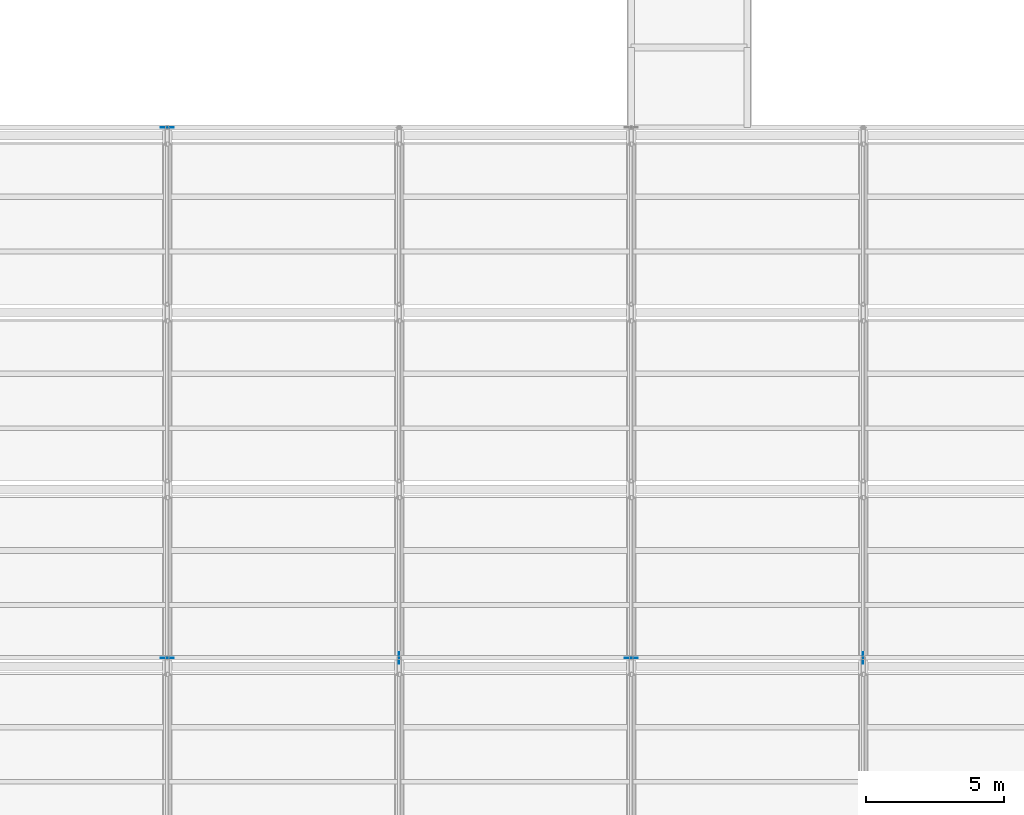
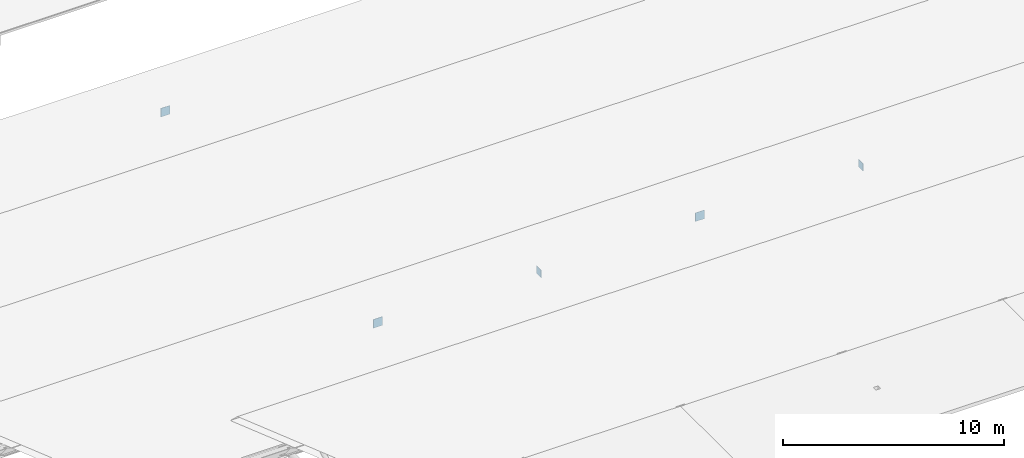
# One storey, part 161 of 194: 5 plates.
"""IFC4 building model written with IfcOpenShell, lengths in metres."""

from ifc_helpers import new_model, si_unit, direction, frame, origin, origin_2d, place, context, subcontext, project, spatial, rectangle, extrude, material, layer, layer_set, type_object, element, save


model = new_model("IFC4")

# Units and contexts
model_context = context("Model", 3, precision=1e-05, world=origin(), true_north=direction((0.0, 1.0)))
body_context = subcontext(model_context, "Body", "Model", "MODEL_VIEW")
ifc_project = project(units=[si_unit("LENGTHUNIT", "METRE"), si_unit("AREAUNIT", "SQUARE_METRE"), si_unit("VOLUMEUNIT", "CUBIC_METRE"), si_unit("PLANEANGLEUNIT", "RADIAN"), si_unit("MASSUNIT", "GRAM", prefix="KILO")], contexts=[model_context])

# Site, building, storey
site_placement = place(None, origin())
site = spatial("IfcSite", under=ifc_project, at=site_placement, CompositionType="ELEMENT")
building_placement = place(site_placement, origin())
building = spatial("IfcBuilding", under=site, at=building_placement, Name="Kazenagashi Tramway Depot", CompositionType="ELEMENT")
storey_placement = place(building_placement, frame((0.0, 0.0, 23.7)))
storey = spatial("IfcBuildingStorey", under=building, at=storey_placement, Name="ROOF", CompositionType="ELEMENT", Elevation=23.7)

# Plates
ifc_material = material(Name="Steel SN490B", Category="steel")
ifc_layer_1 = layer(ifc_material, 0.019)
ifc_layer_set_1 = layer_set([ifc_layer_1], Name="Steel SN490B")
plate_type_1 = type_object("IfcPlateType", Name="GP-02", PredefinedType="USERDEFINED", material=ifc_layer_set_1)
for number, where, z_axis, x_axis, name in (
    (1, (70.0, 35.7, -8.84), (0.0, 0.0, 1.0), (1.0, 0.0, 0.0), "Structural Node Plate GP-02 PLT-0118"),
    (2, (70.0, 54.9, -8.84), (0.0, 0.0, 1.0), (1.0, 0.0, 0.0), "Structural Node Plate GP-02 PLT-0119"),
    (3, (86.8, 35.7, -8.84), (0.0, 0.0, 1.0), (1.0, 0.0, 0.0), "Structural Node Plate GP-02 PLT-0122"),
):
    element("IfcPlate", number, at=place(storey_placement, frame(where, z_axis=z_axis, x_axis=x_axis)), inside=storey, type_object=plate_type_1, Name=name, ObjectType="GUSSET PLATE", PredefinedType="USERDEFINED", context=body_context, shape_type="SweptSolid", body=[
        extrude(rectangle(XDim=0.48, YDim=0.019, at=origin_2d()), origin(), (0.0, 0.0, 1.0), 0.48),
    ])
ifc_layer_2 = layer(ifc_material, 0.016)
ifc_layer_set_2 = layer_set([ifc_layer_2], Name="Steel SN490B")
plate_type_2 = type_object("IfcPlateType", Name="GP-03", PredefinedType="USERDEFINED", material=ifc_layer_set_2)
for number, where, z_axis, x_axis, name in (
    (4, (78.4, 35.7, -8.96), (0.0, 0.0, 1.0), (0.0, 1.0, 0.0), "Structural Node Plate GP-03 PLT-0081"),
    (5, (95.2, 35.7, -8.96), (0.0, 0.0, 1.0), (0.0, 1.0, 0.0), "Structural Node Plate GP-03 PLT-0083"),
):
    element("IfcPlate", number, at=place(storey_placement, frame(where, z_axis=z_axis, x_axis=x_axis)), inside=storey, type_object=plate_type_2, Name=name, ObjectType="GUSSET PLATE", PredefinedType="USERDEFINED", context=body_context, shape_type="SweptSolid", body=[
        extrude(rectangle(XDim=0.42, YDim=0.016, at=origin_2d()), origin(), (0.0, 0.0, 1.0), 0.42),
    ])

save(model, "model.ifc")
